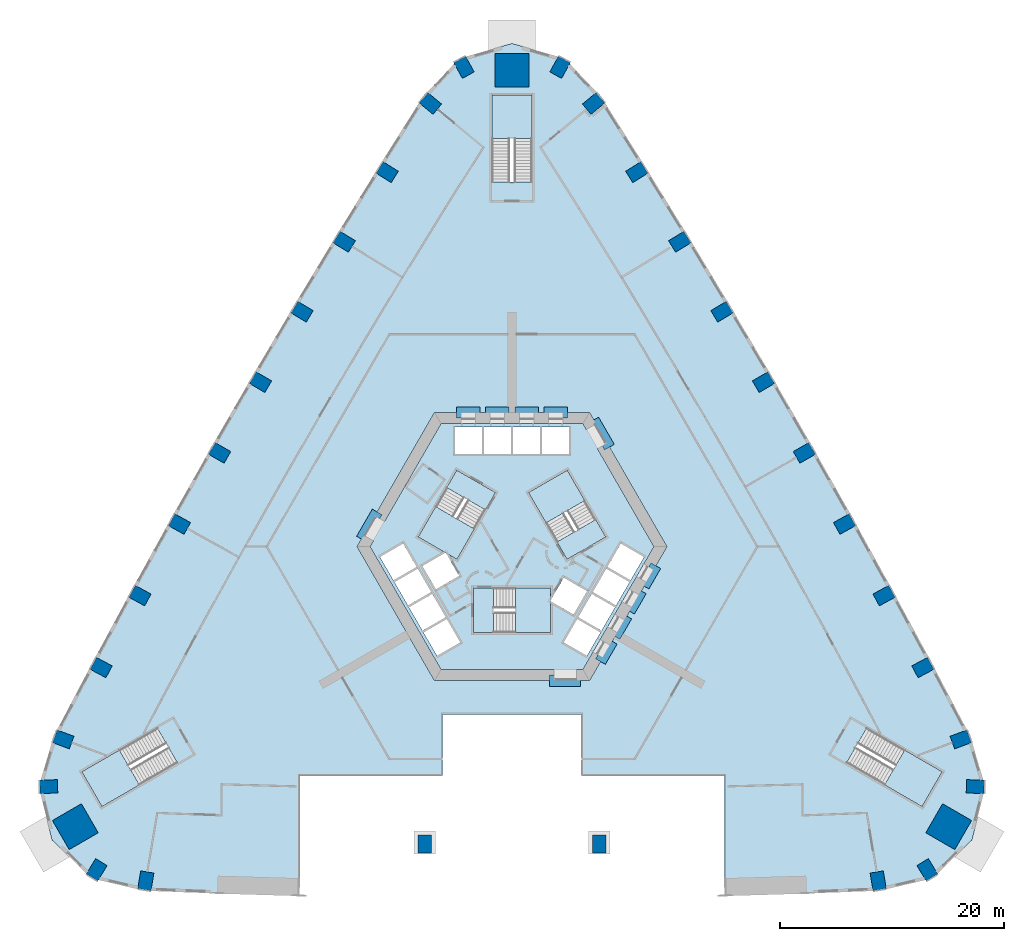
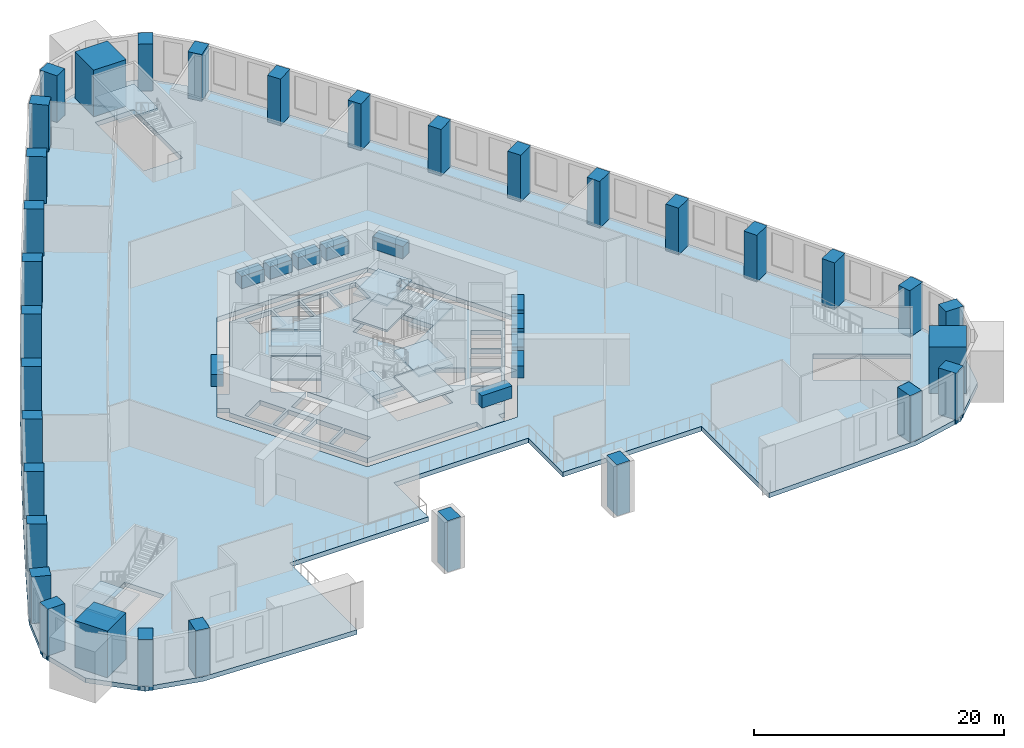
# One storey, part 1 of 16: 33 columns, 14 slabs, 11 beams, 6 elements without a shape of their own.
"""IFC4 building model written with IfcOpenShell, lengths in metres."""

from ifc_helpers import new_model, si_unit, direction, frame, origin, origin_2d, place, context, subcontext, project, spatial, polyline, rectangle, outline, extrude, material, layer, layer_set, material_profile, profile_set, type_object, element, aggregate, save


model = new_model("IFC4")

# Units and contexts
model_context = context("Model", 3, precision=1e-05, world=origin(), true_north=direction((0.0, 1.0)))
body_context = subcontext(model_context, "Body", "Model", "MODEL_VIEW")
ifc_project = project(units=[si_unit("LENGTHUNIT", "METRE"), si_unit("AREAUNIT", "SQUARE_METRE"), si_unit("VOLUMEUNIT", "CUBIC_METRE"), si_unit("PLANEANGLEUNIT", "RADIAN"), si_unit("MASSUNIT", "GRAM", prefix="KILO")], contexts=[model_context])

# Site, building, storey
site_placement = place(None, origin())
site = spatial("IfcSite", under=ifc_project, at=site_placement, CompositionType="ELEMENT")
building_placement = place(site_placement, origin())
building = spatial("IfcBuilding", under=site, at=building_placement, Name="Entoto Arch Interchange Tower", CompositionType="ELEMENT")
storey_placement = place(building_placement, frame((0.0, 0.0, 20.0)))
storey = spatial("IfcBuildingStorey", under=building, at=storey_placement, Name="L03", CompositionType="ELEMENT", Elevation=20.0)

# Columns
ifc_material_1 = material(Name="Concrete C60/75", Category="concrete")
ifc_material_profile_1 = material_profile(ifc_material_1, rectangle(XDim=1.199951171875, YDim=1.60009765625, at=origin_2d()))
ifc_profile_set_1 = profile_set([ifc_material_profile_1], Name="Concrete C60/75")
column_type_1 = type_object("IfcColumnType", Name="Column RC 1200x1600 C60/75", PredefinedType="COLUMN", material=ifc_profile_set_1)
for number, where, z_axis, x_axis, name in (
    (1, (-32.760986328125, -27.39697265625, -0.449951171875), (0.0, 0.0, 1.0), (-0.98600476771, 0.166717119856, 0.0), "Column S01 L03"),
    (2, (32.760986328125, -27.39697265625, -0.449951171875), (0.0, 0.0, 1.0), (0.98600476771, 0.166717119856, 0.0), "Column S06 L03"),
    (3, (37.152099609375, -26.410888671875, -0.449951171875), (0.0, 0.0, 1.0), (0.854522294989, 0.519414716163, 0.0), "Column SE1 L03"),
    (4, (41.447998046875, -18.968994140625, -0.449951171875), (0.0, 0.0, 1.0), (0.022565191802, 0.999745373642, 0.0), "Column SE3 L03"),
    (5, (40.14697265625, -14.7509765625, -0.449951171875), (0.0, 0.0, 1.0), (-0.348277574304, 0.937391450375, 0.0), "Column NE01 L03"),
    (6, (36.7529296875, -8.324951171875, -0.449951171875), (0.0, 0.0, 1.0), (-0.46931745221, 0.883029517656, 0.0), "Column NE02 L03"),
    (7, (33.282958984375, -1.888916015625, -0.449951171875), (0.0, 0.0, 1.0), (-0.478140110514, 0.878283573066, 0.0), "Column NE03 L03"),
    (8, (29.75, 4.511962890625, -0.449951171875), (0.0, 0.0, 1.0), (-0.486914781103, 0.873449481048, 0.0), "Column NE04 L03"),
    (9, (26.155029296875, 10.8798828125, -0.449951171875), (0.0, 0.0, 1.0), (-0.495655741916, 0.868519076074, 0.0), "Column NE05 L03"),
    (10, (22.5, 17.2109375, -0.449951171875), (0.0, 0.0, 1.0), (-0.504331712594, 0.863510002068, 0.0), "Column NE06 L03"),
    (11, (18.781982421875, 23.508056640625, -0.449951171875), (0.0, 0.0, 1.0), (-0.512972048958, 0.858405310438, 0.0), "Column NE07 L03"),
    (12, (15.0048828125, 29.76904296875, -0.449951171875), (0.0, 0.0, 1.0), (-0.521545830745, 0.853223268806, 0.0), "Column NE08 L03"),
    (13, (11.1669921875, 35.992919921875, -0.449951171875), (0.0, 0.0, 1.0), (-0.530067268476, 0.847955594881, 0.0), "Column NE09 L03"),
    (14, (7.299072265625, 42.14404296875, -0.449951171875), (0.0, 0.0, 1.0), (-0.637666022163, 0.770312952103, 0.0), "Column NE10 L03"),
    (15, (4.297119140625, 45.3798828125, -0.449951171875), (0.0, 0.0, 1.0), (-0.877079103306, 0.48034596547, 0.0), "Column N1 L03"),
    (16, (-4.297119140625, 45.3798828125, -0.449951171875), (0.0, 0.0, 1.0), (0.877079103306, 0.48034596547, 0.0), "Column N3 L03"),
    (17, (-7.299072265625, 42.14404296875, -0.449951171875), (0.0, 0.0, 1.0), (0.637666022163, 0.770312952103, 0.0), "Column NW01 L03"),
    (18, (-11.1669921875, 35.992919921875, -0.449951171875), (0.0, 0.0, 1.0), (0.530067268476, 0.847955594881, 0.0), "Column NW02 L03"),
    (19, (-15.0048828125, 29.76904296875, -0.449951171875), (0.0, 0.0, 1.0), (0.521545830745, 0.853223268806, 0.0), "Column NW03 L03"),
    (20, (-18.781982421875, 23.508056640625, -0.449951171875), (0.0, 0.0, 1.0), (0.512972048958, 0.858405310438, 0.0), "Column NW04 L03"),
    (21, (-22.5, 17.2109375, -0.449951171875), (0.0, 0.0, 1.0), (0.504331712594, 0.863510002068, 0.0), "Column NW05 L03"),
    (22, (-26.155029296875, 10.8798828125, -0.449951171875), (0.0, 0.0, 1.0), (0.495655741916, 0.868519076074, 0.0), "Column NW06 L03"),
    (23, (-29.75, 4.511962890625, -0.449951171875), (0.0, 0.0, 1.0), (0.486914781103, 0.873449481048, 0.0), "Column NW07 L03"),
    (24, (-33.282958984375, -1.888916015625, -0.449951171875), (0.0, 0.0, 1.0), (0.478140110514, 0.878283573066, 0.0), "Column NW08 L03"),
    (25, (-36.7529296875, -8.324951171875, -0.449951171875), (0.0, 0.0, 1.0), (0.46931745221, 0.883029517656, 0.0), "Column NW09 L03"),
    (26, (-40.14697265625, -14.7509765625, -0.449951171875), (0.0, 0.0, 1.0), (0.348277574304, 0.937391450375, 0.0), "Column NW10 L03"),
    (27, (-41.447998046875, -18.968994140625, -0.449951171875), (0.0, 0.0, 1.0), (-0.022565191802, 0.999745373642, 0.0), "Column SW1 L03"),
    (28, (-37.152099609375, -26.410888671875, -0.449951171875), (0.0, 0.0, 1.0), (-0.854522294989, 0.519414716163, 0.0), "Column SW3 L03"),
    (29, (-7.800048828125, -24.10009765625, -0.449951171875), (0.0, 0.0, 1.0), (1.0, 0.0, 0.0), "Column ARC-W L03"),
    (30, (7.800048828125, -24.10009765625, -0.449951171875), (0.0, 0.0, 1.0), (1.0, 0.0, 0.0), "Column ARC-E L03"),
):
    element("IfcColumn", number, at=place(storey_placement, frame(where, z_axis=z_axis, x_axis=x_axis)), inside=storey, type_object=column_type_1, Name=name, PredefinedType="COLUMN", context=body_context, shape_type="SweptSolid", body=[
        extrude(rectangle(XDim=1.199951171875, YDim=1.60009765625, at=origin_2d()), origin(), (0.0, 0.0, 1.0), 5.0),
    ])
ifc_material_profile_2 = material_profile(ifc_material_1, rectangle(XDim=3.0, YDim=3.0, at=origin_2d()))
ifc_profile_set_2 = profile_set([ifc_material_profile_2], Name="Concrete C60/75")
column_type_2 = type_object("IfcColumnType", Name="Mega column RC 3000x3000 C60/75", PredefinedType="COLUMN", material=ifc_profile_set_2)
for number, where, z_axis, x_axis, name in (
    (31, (39.069091796875, -22.555908203125, -0.449951171875), (0.0, 0.0, 1.0), (-0.866025403784, 0.5, 0.0), "Corner mega column SE2 L03"),
    (32, (0.0, 45.112060546875, -0.449951171875), (0.0, 0.0, 1.0), (0.0, 1.0, 0.0), "Corner mega column N2 L03"),
    (33, (-39.069091796875, -22.555908203125, -0.449951171875), (0.0, 0.0, 1.0), (0.866025403784, 0.5, 0.0), "Corner mega column SW2 L03"),
):
    element("IfcColumn", number, at=place(storey_placement, frame(where, z_axis=z_axis, x_axis=x_axis)), inside=storey, type_object=column_type_2, Name=name, PredefinedType="COLUMN", context=body_context, shape_type="SweptSolid", body=[
        extrude(rectangle(XDim=3.0, YDim=3.0, at=origin_2d()), origin(), (0.0, 0.0, 1.0), 5.0),
    ])

# Beams
ifc_material_profile_3 = material_profile(ifc_material_1, rectangle(XDim=1.0, YDim=1.199951171875, at=origin_2d()))
ifc_profile_set_3 = profile_set([ifc_material_profile_3], Name="Concrete C60/75")
beam_type = type_object("IfcBeamType", Name="Coupling beam RC 1000x1200 C60/75", PredefinedType="BEAM", material=ifc_profile_set_3)
beam_1_placement = place(storey_placement, frame((8.717041015625, 11.402099609375, 3.0), z_axis=(-0.500200581029, 0.865909567298, 0.0), x_axis=(-0.865909567298, -0.500200581029, 0.0)))
element("IfcBeam", 34, at=beam_1_placement, inside=storey, type_object=beam_type, Name="Coupling beam NE L03", PredefinedType="BEAM", context=body_context, shape_type="SweptSolid", body=[
    extrude(rectangle(XDim=1.0, YDim=1.199951171875, at=origin_2d()), origin(), (0.0, 0.0, 1.0), 2.799072265625),
])
beam_2_placement = place(storey_placement, frame((4.949951171875, 14.5, 3.0), z_axis=(-1.0, 0.0, 0.0), x_axis=(0.0, -1.0, 0.0)))
element("IfcBeam", 35, at=beam_2_placement, inside=storey, type_object=beam_type, Name="Coupling beam N L03", PredefinedType="BEAM", context=body_context, shape_type="SweptSolid", body=[
    extrude(rectangle(XDim=1.0, YDim=1.199951171875, at=origin_2d()), origin(), (0.0, 0.0, 1.0), 2.099853515625),
])
for number, where, z_axis, x_axis, name in (
    (36, (2.35009765625, 14.5, 3.0), (-1.0, 0.0, 0.0), (0.0, -1.0, 0.0), "Coupling beam N L03"),
    (37, (-0.25, 14.5, 3.0), (-1.0, 0.0, 0.0), (0.0, -1.0, 0.0), "Coupling beam N L03"),
):
    element("IfcBeam", number, at=place(storey_placement, frame(where, z_axis=z_axis, x_axis=x_axis)), inside=storey, type_object=beam_type, Name=name, PredefinedType="BEAM", context=body_context, shape_type="SweptSolid", body=[
        extrude(rectangle(XDim=1.0, YDim=1.199951171875, at=origin_2d()), origin(), (0.0, 0.0, 1.0), 2.10009765625),
    ])
beam_3_placement = place(storey_placement, frame((-2.85009765625, 14.5, 3.0), z_axis=(-1.0, 0.0, 0.0), x_axis=(0.0, -1.0, 0.0)))
element("IfcBeam", 38, at=beam_3_placement, inside=storey, type_object=beam_type, Name="Coupling beam N L03", PredefinedType="BEAM", context=body_context, shape_type="SweptSolid", body=[
    extrude(rectangle(XDim=1.0, YDim=1.199951171875, at=origin_2d()), origin(), (0.0, 0.0, 1.0), 2.099853515625),
])
beam_4_placement = place(storey_placement, frame((-12.06689453125, 5.597900390625, 3.0), z_axis=(-0.500200581029, -0.865909567298, 0.0), x_axis=(0.865909567298, -0.500200581029, 0.0)))
element("IfcBeam", 39, at=beam_4_placement, inside=storey, type_object=beam_type, Name="Coupling beam NW L03", PredefinedType="BEAM", context=body_context, shape_type="SweptSolid", body=[
    extrude(rectangle(XDim=1.0, YDim=1.199951171875, at=origin_2d()), origin(), (0.0, 0.0, 1.0), 2.799072265625),
])
beam_5_placement = place(storey_placement, frame((3.35009765625, -9.5, 3.0), z_axis=(1.0, 0.0, 0.0), x_axis=(0.0, 1.0, 0.0)))
element("IfcBeam", 40, at=beam_5_placement, inside=storey, type_object=beam_type, Name="Coupling beam S L03", PredefinedType="BEAM", context=body_context, shape_type="SweptSolid", body=[
    extrude(rectangle(XDim=1.0, YDim=1.199951171875, at=origin_2d()), origin(), (0.0, 0.0, 1.0), 2.7998046875),
])
for number, where, z_axis, x_axis, name in (
    (41, (7.9169921875, -7.785888671875, 3.0), (0.500178781653, 0.865922159541, 0.0), (-0.865922159541, 0.500178781653, 0.0), "Coupling beam SE L03"),
    (42, (9.217041015625, -5.534912109375, 3.0), (0.500178781653, 0.865922159541, 0.0), (-0.865922159541, 0.500178781653, 0.0), "Coupling beam SE L03"),
):
    element("IfcBeam", number, at=place(storey_placement, frame(where, z_axis=z_axis, x_axis=x_axis)), inside=storey, type_object=beam_type, Name=name, PredefinedType="BEAM", context=body_context, shape_type="SweptSolid", body=[
        extrude(rectangle(XDim=1.0, YDim=1.199951171875, at=origin_2d()), origin(), (0.0, 0.0, 1.0), 2.099365234375),
    ])
beam_6_placement = place(storey_placement, frame((10.51708984375, -3.282958984375, 3.0), z_axis=(0.500091574638, 0.865972526687, 0.0), x_axis=(-0.865972526687, 0.500091574638, 0.0)))
element("IfcBeam", 43, at=beam_6_placement, inside=storey, type_object=beam_type, Name="Coupling beam SE L03", PredefinedType="BEAM", context=body_context, shape_type="SweptSolid", body=[
    extrude(rectangle(XDim=1.0, YDim=1.199951171875, at=origin_2d()), origin(), (0.0, 0.0, 1.0), 2.09912109375),
])
beam_7_placement = place(storey_placement, frame((11.81689453125, -1.031982421875, 3.0), z_axis=(0.500178781653, 0.865922159541, 0.0), x_axis=(-0.865922159541, 0.500178781653, 0.0)))
element("IfcBeam", 44, at=beam_7_placement, inside=storey, type_object=beam_type, Name="Coupling beam SE L03", PredefinedType="BEAM", context=body_context, shape_type="SweptSolid", body=[
    extrude(rectangle(XDim=1.0, YDim=1.199951171875, at=origin_2d()), origin(), (0.0, 0.0, 1.0), 2.099365234375),
])

# Slab
ifc_material_2 = material(Name="Concrete C40/50", Category="concrete")
ifc_layer_1 = layer(ifc_material_2, 0.449951171875)
ifc_layer_set_1 = layer_set([ifc_layer_1], Name="Concrete C40/50")
slab_type_1 = type_object("IfcSlabType", Name="Core floor slab 450 C40/50", PredefinedType="FLOOR", material=ifc_layer_set_1)
slab_1_placement = place(storey_placement, frame((0.0, 0.0, -0.449951171875)))
element("IfcSlab", 45, at=slab_1_placement, inside=storey, type_object=slab_type_1, Name="Core floor slab L03", PredefinedType="FLOOR", context=body_context, shape_type="SweptSolid", body=[
    extrude(outline(polyline([(5.75, -9.5), (3.75, -9.5), (3.75, -8.5), (-6.35107421875, -8.5), (-12.701904296875, 2.5), (-12.402099609375, 3.02001953125), (-13.26708984375, 3.52001953125), (-12.26708984375, 5.251953125), (-11.402099609375, 4.751953125), (-6.35107421875, 13.5), (6.35107421875, 13.5), (6.65087890625, 12.97998046875), (7.51708984375, 13.47998046875), (8.51708984375, 11.748046875), (7.65087890625, 11.248046875), (12.701904296875, 2.5), (6.35107421875, -8.5), (5.75, -8.5), (5.75, -9.5)]), holes=[polyline([(-4.637939453125, -6.06689453125), (-5.837890625, -3.988037109375), (-7.916015625, -5.18798828125), (-6.716064453125, -7.26708984375), (-4.637939453125, -6.06689453125)]), polyline([(-5.93798828125, -3.81494140625), (-7.137939453125, -1.737060546875), (-9.216064453125, -2.93701171875), (-8.01611328125, -5.014892578125), (-5.93798828125, -3.81494140625)]), polyline([(5.5048828125, -3.56494140625), (6.705078125, -1.487060546875), (4.626953125, -0.287109375), (3.449951171875, -2.324951171875), (3.449951171875, -1.199951171875), (-1.64990234375, -1.199951171875), (-1.64990234375, -5.199951171875), (3.449951171875, -5.199951171875), (3.449951171875, -2.3779296875), (5.5048828125, -3.56494140625)]), polyline([(-7.238037109375, -1.56298828125), (-8.43798828125, 0.514892578125), (-10.51611328125, -0.68505859375), (-9.31591796875, -2.762939453125), (-7.238037109375, -1.56298828125)]), polyline([(-4.72705078125, -0.113037109375), (-5.904052734375, 1.925048828125), (-4.928955078125, 1.362060546875), (-2.37890625, 5.779052734375), (-5.843017578125, 7.779052734375), (-8.39306640625, 3.362060546875), (-5.949951171875, 1.951904296875), (-8.0048828125, 0.764892578125), (-6.804931640625, -1.31298828125), (-4.72705078125, -0.113037109375)]), polyline([(-8.5380859375, 0.68798828125), (-9.738037109375, 2.76708984375), (-11.81591796875, 1.56689453125), (-10.615966796875, -0.511962890625), (-8.5380859375, 0.68798828125)]), polyline([(-5.10009765625, 10.800048828125), (-2.699951171875, 10.800048828125), (-2.699951171875, 13.199951171875), (-5.10009765625, 13.199951171875), (-5.10009765625, 10.800048828125)]), polyline([(-2.5, 10.800048828125), (-0.10009765625, 10.800048828125), (-0.10009765625, 13.199951171875), (-2.5, 13.199951171875), (-2.5, 10.800048828125)]), polyline([(5.837890625, -3.988037109375), (4.637939453125, -6.06689453125), (6.716064453125, -7.26708984375), (7.916015625, -5.18798828125), (5.837890625, -3.988037109375)]), polyline([(7.137939453125, -1.737060546875), (5.93798828125, -3.81494140625), (8.01611328125, -5.014892578125), (9.216064453125, -2.93701171875), (7.137939453125, -1.737060546875)]), polyline([(8.43798828125, 0.514892578125), (7.238037109375, -1.56298828125), (9.31591796875, -2.762939453125), (10.51611328125, -0.68505859375), (8.43798828125, 0.514892578125)]), polyline([(9.738037109375, 2.76708984375), (8.5380859375, 0.68798828125), (10.615966796875, -0.511962890625), (11.81591796875, 1.56689453125), (9.738037109375, 2.76708984375)]), polyline([(4.029052734375, 2.9208984375), (7.492919921875, 4.9208984375), (4.943115234375, 9.337890625), (1.47900390625, 7.337890625), (4.029052734375, 2.9208984375)]), polyline([(0.10009765625, 13.199951171875), (0.10009765625, 10.800048828125), (2.5, 10.800048828125), (2.5, 13.199951171875), (0.10009765625, 13.199951171875)]), polyline([(2.699951171875, 13.199951171875), (2.699951171875, 10.800048828125), (5.10009765625, 10.800048828125), (5.10009765625, 13.199951171875), (2.699951171875, 13.199951171875)])]), origin(), (0.0, 0.0, 1.0), 0.449951171875),
])

# Stair, slabs
stair_type_1 = type_object("IfcStairType", Name="EXIT STAIR RC 1800", PredefinedType="HALF_TURN_STAIR", material=ifc_material_2)
stair_1_placement = place(storey_placement, origin())
stair_1 = element("IfcStair", 46, at=stair_1_placement, inside=storey, type_object=stair_type_1, Name="L03 Exit stair S", PredefinedType="HALF_TURN_STAIR")
ifc_layer_2 = layer(ifc_material_2, 0.199951171875)
ifc_layer_set_2 = layer_set([ifc_layer_2], Name="Concrete C40/50")
slab_type_2 = type_object("IfcSlabType", Name="EXIT STAIR LANDING RC 200", PredefinedType="LANDING", material=ifc_layer_set_2)
slab_2_placement = place(storey_placement, frame((0.0, 0.0, 1.050048828125)))
slab_2 = element("IfcSlab", 47, at=slab_2_placement, type_object=slab_type_2, Name="ST-S landing 1", PredefinedType="LANDING", context=body_context, shape_type="SweptSolid", body=[
    extrude(outline(polyline([(0.31005859375, -5.199951171875), (3.449951171875, -5.199951171875), (3.449951171875, -1.199951171875), (0.31005859375, -1.199951171875), (0.31005859375, -5.199951171875)])), origin(), (0.0, 0.0, 1.0), 0.199951171875),
])
slab_3_placement = place(storey_placement, frame((0.0, 0.0, 2.300048828125)))
slab_3 = element("IfcSlab", 48, at=slab_3_placement, type_object=slab_type_2, Name="ST-S landing 2", PredefinedType="LANDING", context=body_context, shape_type="SweptSolid", body=[
    extrude(outline(polyline([(-3.449951171875, -5.199951171875), (-1.64990234375, -5.199951171875), (-1.64990234375, -1.199951171875), (-3.449951171875, -1.199951171875), (-3.449951171875, -5.199951171875)])), origin(), (0.0, 0.0, 1.0), 0.199951171875),
])
slab_4_placement = place(storey_placement, frame((0.0, 0.0, 3.550048828125)))
slab_4 = element("IfcSlab", 49, at=slab_4_placement, type_object=slab_type_2, Name="ST-S landing 3", PredefinedType="LANDING", context=body_context, shape_type="SweptSolid", body=[
    extrude(outline(polyline([(0.31005859375, -5.199951171875), (3.449951171875, -5.199951171875), (3.449951171875, -1.199951171875), (0.31005859375, -1.199951171875), (0.31005859375, -5.199951171875)])), origin(), (0.0, 0.0, 1.0), 0.199951171875),
])
aggregate(stair_1, [slab_2, slab_3, slab_4])

stair_2_placement = place(storey_placement, origin())
stair_2 = element("IfcStair", 50, at=stair_2_placement, inside=storey, type_object=stair_type_1, Name="L03 Exit stair NE", PredefinedType="HALF_TURN_STAIR")
slab_5_placement = place(storey_placement, frame((0.0, 0.0, 1.050048828125)))
slab_5 = element("IfcSlab", 51, at=slab_5_placement, type_object=slab_type_2, Name="ST-NE landing 1", PredefinedType="LANDING", context=body_context, shape_type="SweptSolid", body=[
    extrude(outline(polyline([(6.513427734375, 6.618408203125), (4.943359375, 9.337890625), (1.479248046875, 7.337890625), (3.04931640625, 4.618408203125), (6.513427734375, 6.618408203125)])), origin(), (0.0, 0.0, 1.0), 0.199951171875),
])
slab_6_placement = place(storey_placement, frame((0.0, 0.0, 2.300048828125)))
slab_6 = element("IfcSlab", 52, at=slab_6_placement, type_object=slab_type_2, Name="ST-NE landing 2", PredefinedType="LANDING", context=body_context, shape_type="SweptSolid", body=[
    extrude(outline(polyline([(8.393310546875, 3.3623046875), (7.493408203125, 4.921142578125), (4.029296875, 2.921142578125), (4.92919921875, 1.3623046875), (8.393310546875, 3.3623046875)])), origin(), (0.0, 0.0, 1.0), 0.199951171875),
])
slab_7_placement = place(storey_placement, frame((0.0, 0.0, 3.550048828125)))
slab_7 = element("IfcSlab", 53, at=slab_7_placement, type_object=slab_type_2, Name="ST-NE landing 3", PredefinedType="LANDING", context=body_context, shape_type="SweptSolid", body=[
    extrude(outline(polyline([(6.513427734375, 6.618408203125), (4.943359375, 9.337890625), (1.479248046875, 7.337890625), (3.04931640625, 4.618408203125), (6.513427734375, 6.618408203125)])), origin(), (0.0, 0.0, 1.0), 0.199951171875),
])
aggregate(stair_2, [slab_5, slab_6, slab_7])

stair_3_placement = place(storey_placement, origin())
stair_3 = element("IfcStair", 54, at=stair_3_placement, inside=storey, type_object=stair_type_1, Name="L03 Exit stair NW", PredefinedType="HALF_TURN_STAIR")
slab_8_placement = place(storey_placement, frame((0.0, 0.0, 1.050048828125)))
slab_8 = element("IfcSlab", 55, at=slab_8_placement, type_object=slab_type_2, Name="ST-NW landing 1", PredefinedType="LANDING", context=body_context, shape_type="SweptSolid", body=[
    extrude(outline(polyline([(-6.823486328125, 6.08154296875), (-8.393310546875, 3.3623046875), (-4.92919921875, 1.3623046875), (-3.359375, 4.08154296875), (-6.823486328125, 6.08154296875)])), origin(), (0.0, 0.0, 1.0), 0.199951171875),
])
slab_9_placement = place(storey_placement, frame((0.0, 0.0, 2.300048828125)))
slab_9 = element("IfcSlab", 56, at=slab_9_placement, type_object=slab_type_2, Name="ST-NW landing 2", PredefinedType="LANDING", context=body_context, shape_type="SweptSolid", body=[
    extrude(outline(polyline([(-4.943359375, 9.337890625), (-5.843505859375, 7.779052734375), (-2.37939453125, 5.779052734375), (-1.479248046875, 7.337890625), (-4.943359375, 9.337890625)])), origin(), (0.0, 0.0, 1.0), 0.199951171875),
])
slab_10_placement = place(storey_placement, frame((0.0, 0.0, 3.550048828125)))
slab_10 = element("IfcSlab", 57, at=slab_10_placement, type_object=slab_type_2, Name="ST-NW landing 3", PredefinedType="LANDING", context=body_context, shape_type="SweptSolid", body=[
    extrude(outline(polyline([(-6.823486328125, 6.08154296875), (-8.393310546875, 3.3623046875), (-4.92919921875, 1.3623046875), (-3.359375, 4.08154296875), (-6.823486328125, 6.08154296875)])), origin(), (0.0, 0.0, 1.0), 0.199951171875),
])
aggregate(stair_3, [slab_8, slab_9, slab_10])

# Stair, slab
stair_type_2 = type_object("IfcStairType", Name="PODIUM EXIT STAIR RC 1600", PredefinedType="HALF_TURN_STAIR", material=ifc_material_2)
stair_4_placement = place(storey_placement, origin())
stair_4 = element("IfcStair", 58, at=stair_4_placement, inside=storey, type_object=stair_type_2, Name="L03 Podium exit stair north", PredefinedType="HALF_TURN_STAIR")
slab_11_placement = place(storey_placement, frame((0.0, 0.0, 2.300048828125)))
slab_11 = element("IfcSlab", 59, at=slab_11_placement, type_object=slab_type_2, Name="PST-N landing 1", PredefinedType="LANDING", context=body_context, shape_type="SweptSolid", body=[
    extrude(outline(polyline([(1.800048828125, 39.02001953125), (1.800048828125, 42.89990234375), (-1.800048828125, 42.89990234375), (-1.800048828125, 39.02001953125), (1.800048828125, 39.02001953125)])), origin(), (0.0, 0.0, 1.0), 0.199951171875),
])
aggregate(stair_4, [slab_11])

stair_5_placement = place(storey_placement, origin())
stair_5 = element("IfcStair", 60, at=stair_5_placement, inside=storey, type_object=stair_type_2, Name="L03 Podium exit stair south-west", PredefinedType="HALF_TURN_STAIR")
slab_12_placement = place(storey_placement, frame((0.0, 0.0, 2.300048828125)))
slab_12 = element("IfcSlab", 61, at=slab_12_placement, type_object=slab_type_2, Name="PST-SW landing 1", PredefinedType="LANDING", context=body_context, shape_type="SweptSolid", body=[
    extrude(outline(polyline([(-35.125244140625, -15.701171875), (-38.485595703125, -17.64111328125), (-36.685546875, -20.7587890625), (-33.325439453125, -18.81884765625), (-35.125244140625, -15.701171875)])), origin(), (0.0, 0.0, 1.0), 0.199951171875),
])
aggregate(stair_5, [slab_12])

stair_6_placement = place(storey_placement, origin())
stair_6 = element("IfcStair", 62, at=stair_6_placement, inside=storey, type_object=stair_type_2, Name="L03 Podium exit stair south-east", PredefinedType="HALF_TURN_STAIR")
slab_13_placement = place(storey_placement, frame((0.0, 0.0, 2.300048828125)))
slab_13 = element("IfcSlab", 63, at=slab_13_placement, type_object=slab_type_2, Name="PST-SE landing 1", PredefinedType="LANDING", context=body_context, shape_type="SweptSolid", body=[
    extrude(outline(polyline([(33.325439453125, -18.81884765625), (36.685546875, -20.7587890625), (38.485595703125, -17.64111328125), (35.125244140625, -15.701171875), (33.325439453125, -18.81884765625)])), origin(), (0.0, 0.0, 1.0), 0.199951171875),
])
aggregate(stair_6, [slab_13])

# Slab
ifc_layer_3 = layer(ifc_material_2, 0.449951171875)
ifc_layer_set_3 = layer_set([ifc_layer_3], Name="Concrete C40/50")
slab_type_3 = type_object("IfcSlabType", Name="Post-tensioned flat plate 450 C40/50", PredefinedType="FLOOR", material=ifc_layer_set_3)
slab_14_placement = place(storey_placement, frame((0.0, 0.0, -0.449951171875)))
element("IfcSlab", 64, at=slab_14_placement, inside=storey, type_object=slab_type_3, Name="Floor slab L03", PredefinedType="FLOOR", context=body_context, shape_type="SweptSolid", body=[
    extrude(outline(polyline([(-26.376953125, -28.5400390625), (-19.0, -28.761962890625), (-19.0, -18.0), (-6.199951171875, -18.0), (-6.199951171875, -12.5), (6.199951171875, -12.5), (6.199951171875, -18.0), (19.0, -18.0), (19.0, -28.761962890625), (26.376953125, -28.5400390625), (32.910888671875, -28.283935546875), (37.618896484375, -27.179931640625), (41.14697265625, -23.756103515625), (42.347900390625, -18.989013671875), (40.990966796875, -14.43798828125), (37.548095703125, -7.903076171875), (34.072998046875, -1.458984375), (30.535888671875, 4.949951171875), (26.93701171875, 11.325927734375), (23.277099609375, 17.6650390625), (19.554931640625, 23.969970703125), (15.77294921875, 30.238037109375), (11.929931640625, 36.469970703125), (7.991943359375, 42.718017578125), (4.72900390625, 46.1689453125), (0.0, 47.511962890625), (-4.72900390625, 46.1689453125), (-7.991943359375, 42.718017578125), (-11.929931640625, 36.469970703125), (-15.77294921875, 30.238037109375), (-19.554931640625, 23.969970703125), (-23.277099609375, 17.6650390625), (-26.93701171875, 11.325927734375), (-30.535888671875, 4.949951171875), (-34.072998046875, -1.458984375), (-37.548095703125, -7.903076171875), (-40.990966796875, -14.43798828125), (-42.347900390625, -18.989013671875), (-41.14697265625, -23.756103515625), (-37.618896484375, -27.179931640625), (-32.910888671875, -28.283935546875), (-26.376953125, -28.5400390625)]), holes=[polyline([(-29.930908203125, -16.85888671875), (-31.73095703125, -13.740966796875), (-38.486083984375, -17.64111328125), (-36.68603515625, -20.759033203125), (-29.930908203125, -16.85888671875)]), polyline([(31.73095703125, -13.740966796875), (29.930908203125, -16.85888671875), (36.68603515625, -20.759033203125), (38.486083984375, -17.64111328125), (31.73095703125, -13.740966796875)]), polyline([(-6.927978515625, -9.5), (6.927978515625, -9.5), (13.85595703125, 2.5), (6.927978515625, 14.5), (-6.927978515625, 14.5), (-13.85595703125, 2.5), (-6.927978515625, -9.5)]), polyline([(-1.800048828125, 42.89990234375), (-1.800048828125, 35.10009765625), (1.800048828125, 35.10009765625), (1.800048828125, 42.89990234375), (-1.800048828125, 42.89990234375)])]), origin(), (0.0, 0.0, 1.0), 0.449951171875),
])

save(model, "model.ifc")
